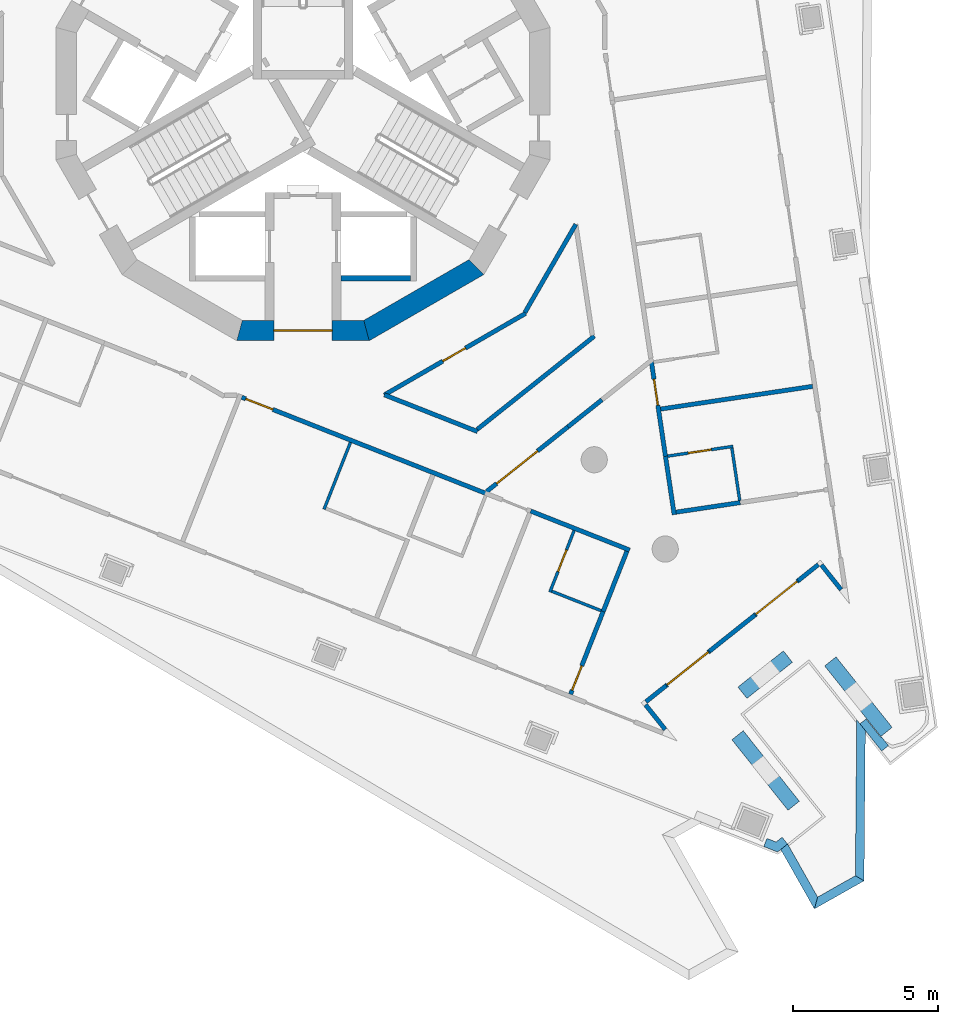
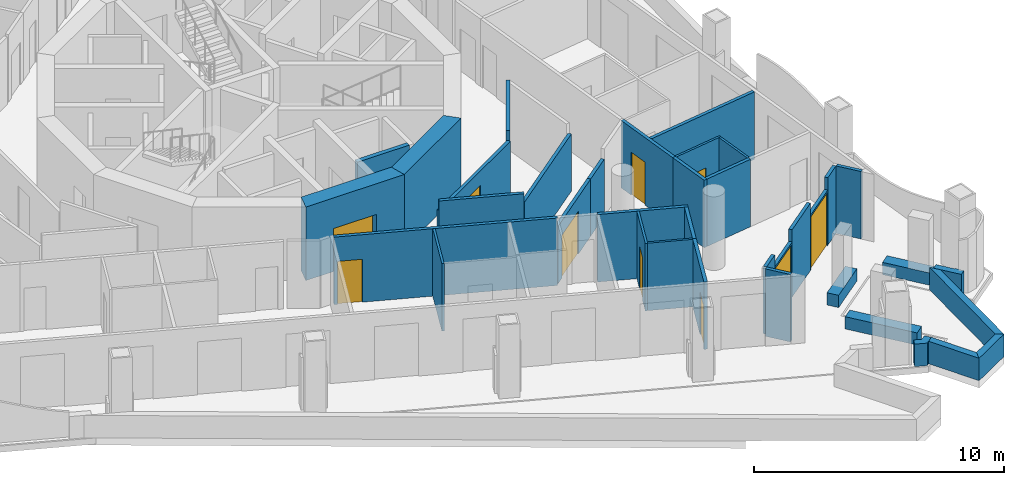
# One storey, part 4 of 16: 37 walls, 10 doors, 10 openings.
"""IFC4 building model written with IfcOpenShell, lengths in metres."""

from ifc_helpers import new_model, si_unit, direction, frame, frame_2d, origin, place, context, subcontext, project, spatial, polyline, rectangle, outline, extrude, material, layer, layer_set, type_object, element, fill, save


model = new_model("IFC4")

# Units and contexts
model_context = context("Model", 3, precision=1e-05, world=origin(), true_north=direction((0.0, 1.0)))
body_context = subcontext(model_context, "Body", "Model", "MODEL_VIEW")
ifc_project = project(units=[si_unit("LENGTHUNIT", "METRE"), si_unit("AREAUNIT", "SQUARE_METRE"), si_unit("VOLUMEUNIT", "CUBIC_METRE"), si_unit("PLANEANGLEUNIT", "RADIAN"), si_unit("MASSUNIT", "GRAM", prefix="KILO")], contexts=[model_context])

# Site, building, storey
site_placement = place(None, origin())
site = spatial("IfcSite", under=ifc_project, at=site_placement, CompositionType="ELEMENT")
building_placement = place(site_placement, origin())
building = spatial("IfcBuilding", under=site, at=building_placement, Name="Trine Commons Tower", CompositionType="ELEMENT")
storey_placement = place(building_placement, frame((0.0, 0.0, 198.0)))
storey = spatial("IfcBuildingStorey", under=building, at=storey_placement, Name="L51", CompositionType="ELEMENT", Elevation=198.0)

# Walls
ifc_material_1 = material(Name="Aluminium-framed insulated wall panel", Category="aluminium")
ifc_layer_1 = layer(ifc_material_1, 0.14990234375)
ifc_layer_set_1 = layer_set([ifc_layer_1], Name="Aluminium-framed insulated wall panel")
wall_type_1 = type_object("IfcWallType", Name="Glazed frame wall 150, EI 60", PredefinedType="SOLIDWALL", material=ifc_layer_set_1)
wall_1_placement = place(storey_placement, frame((98.603759765625, 45.320556640625, 0.0), z_axis=(0.0, 0.0, 1.0), x_axis=(-0.6225008228, 0.782619144676, 0.0)))
element("IfcWall", 1, at=wall_1_placement, inside=storey, type_object=wall_type_1, Name="Glazed frame wall R6", PredefinedType="SOLIDWALL", context=body_context, shape_type="SweptSolid", body=[
    extrude(outline(polyline([(0.1494140625, 0.074951171875), (0.1494140625, -0.074951171875), (1.235107421875, -0.074951171875), (1.235107421875, 0.074951171875), (0.1494140625, 0.074951171875)])), origin(), (0.0, 0.0, 1.0), 3.300048828125),
])
wall_2_placement = place(storey_placement, frame((97.815673828125, 46.367431640625, 0.0), z_axis=(0.0, 0.0, 1.0), x_axis=(-0.78265242488, -0.622458980037, 0.0)))
element("IfcWall", 2, at=wall_2_placement, inside=storey, type_object=wall_type_1, Name="Glazed frame wall P2.1", PredefinedType="SOLIDWALL", context=body_context, shape_type="SweptSolid", body=[
    extrude(outline(polyline([(0.110107421875, -0.074951171875), (1.0, -0.074951171875), (1.0, 0.074951171875), (0.110107421875, 0.074951171875), (0.110107421875, -0.074951171875)])), origin(), (0.0, 0.0, 1.0), 3.300048828125),
])

# Wall, opening, door
wall_3_placement = place(storey_placement, frame((97.033203125, 45.7451171875, 0.0), z_axis=(0.0, 0.0, 1.0), x_axis=(-0.782608167395, -0.622514623384, 0.0)))
wall_3 = element("IfcWall", 3, at=wall_3_placement, inside=storey, type_object=wall_type_1, Name="Glazed frame wall P2.2", PredefinedType="SOLIDWALL", context=body_context, shape_type="SweptSolid", body=[
    extrude(outline(polyline([(0.0, -0.074951171875), (1.89990234375, -0.074951171875), (1.89990234375, 0.074951171875), (0.0, 0.074951171875), (0.0, -0.074951171875)])), origin(), (0.0, 0.0, 1.0), 2.699951171875),
])
opening_1_placement = place(wall_3_placement, frame((0.050048828125, 0.0, 0.0)))
opening_1 = element("IfcOpeningElement", 4, at=opening_1_placement, cuts=wall_3, Name="Opening BD-6P2-01", PredefinedType="OPENING", context=body_context, shape_type="SweptSolid", body=[
    extrude(rectangle(XDim=1.800048828125, YDim=2.60009765625, at=frame_2d((0.89990234375, 1.300048828125))), frame((0.0, 0.0849609375, 0.0), z_axis=(0.0, -1.0, 0.0), x_axis=(1.0, 0.0, 0.0)), (0.0, 0.0, 1.0), 0.169921875),
])
ifc_material_2 = material(Name="Anodised aluminium frame with double glazing", Category="aluminium")
door_type_1 = type_object("IfcDoorType", Name="Sliding loggia door 1800x2600", OperationType="SLIDING_TO_LEFT", PredefinedType="DOOR", material=ifc_material_2)
door_1_placement = place(opening_1_placement, origin())
door_1 = element("IfcDoor", 5, at=door_1_placement, inside=storey, type_object=door_type_1, Name="Loggia door P2 1", OperationType="SLIDING_TO_LEFT", OverallHeight=2.60009765625, OverallWidth=1.800048828125, PredefinedType="DOOR", context=body_context, shape_type="SweptSolid", body=[
    extrude(rectangle(XDim=1.800048828125, YDim=2.60009765625, at=frame_2d((0.89990234375, 1.300048828125))), frame((0.0, 0.02490234375, 0.0), z_axis=(0.0, -1.0, 0.0), x_axis=(1.0, 0.0, 0.0)), (0.0, 0.0, 1.0), 0.050048828125),
])
fill(opening_1, door_1)

# Wall
wall_4_placement = place(storey_placement, frame((95.546142578125, 44.562255859375, 0.0), z_axis=(0.0, 0.0, 1.0), x_axis=(-0.782580779818, -0.622549052733, 0.0)))
element("IfcWall", 6, at=wall_4_placement, inside=storey, type_object=wall_type_1, Name="Glazed frame wall P2.3", PredefinedType="SOLIDWALL", context=body_context, shape_type="SweptSolid", body=[
    extrude(outline(polyline([(0.0, -0.074951171875), (2.0, -0.074951171875), (2.0, 0.074951171875), (0.0, 0.074951171875), (0.0, -0.074951171875)])), origin(), (0.0, 0.0, 1.0), 3.300048828125),
])

# Wall, opening, door
wall_5_placement = place(storey_placement, frame((93.98095703125, 43.317138671875, 0.0), z_axis=(0.0, 0.0, 1.0), x_axis=(-0.782670764896, -0.622435919415, 0.0)))
wall_5 = element("IfcWall", 7, at=wall_5_placement, inside=storey, type_object=wall_type_1, Name="Glazed frame wall P2.4", PredefinedType="SOLIDWALL", context=body_context, shape_type="SweptSolid", body=[
    extrude(outline(polyline([(0.0, -0.074951171875), (1.89990234375, -0.074951171875), (1.89990234375, 0.074951171875), (0.0, 0.074951171875), (0.0, -0.074951171875)])), origin(), (0.0, 0.0, 1.0), 2.699951171875),
])
opening_2_placement = place(wall_5_placement, frame((0.050048828125, 0.0, 0.0)))
opening_2 = element("IfcOpeningElement", 8, at=opening_2_placement, cuts=wall_5, Name="Opening BD-6P2-02", PredefinedType="OPENING", context=body_context, shape_type="SweptSolid", body=[
    extrude(rectangle(XDim=1.800048828125, YDim=2.60009765625, at=frame_2d((0.89990234375, 1.300048828125))), frame((0.0, 0.0849609375, 0.0), z_axis=(0.0, -1.0, 0.0), x_axis=(1.0, 0.0, 0.0)), (0.0, 0.0, 1.0), 0.169921875),
])
door_2_placement = place(opening_2_placement, origin())
door_2 = element("IfcDoor", 9, at=door_2_placement, inside=storey, type_object=door_type_1, Name="Loggia door P2 2", OperationType="SLIDING_TO_LEFT", OverallHeight=2.60009765625, OverallWidth=1.800048828125, PredefinedType="DOOR", context=body_context, shape_type="SweptSolid", body=[
    extrude(rectangle(XDim=1.800048828125, YDim=2.60009765625, at=frame_2d((0.89990234375, 1.300048828125))), frame((0.0, 0.02490234375, 0.0), z_axis=(0.0, -1.0, 0.0), x_axis=(1.0, 0.0, 0.0)), (0.0, 0.0, 1.0), 0.050048828125),
])
fill(opening_2, door_2)

# Walls
wall_6_placement = place(storey_placement, frame((92.493896484375, 42.134521484375, 0.0), z_axis=(0.0, 0.0, 1.0), x_axis=(-0.782628082779, -0.622489585492, 0.0)))
element("IfcWall", 10, at=wall_6_placement, inside=storey, type_object=wall_type_1, Name="Glazed frame wall P2.5", PredefinedType="SOLIDWALL", context=body_context, shape_type="SweptSolid", body=[
    extrude(outline(polyline([(0.889892578125, 0.074951171875), (0.0, 0.074951171875), (0.0, -0.074951171875), (0.889892578125, -0.074951171875), (0.889892578125, 0.074951171875)])), origin(), (0.0, 0.0, 1.0), 3.300048828125),
])
wall_7_placement = place(storey_placement, frame((91.716796875, 41.56103515625, 0.0), z_axis=(0.0, 0.0, 1.0), x_axis=(0.622611995912, -0.7825307039, 0.0)))
element("IfcWall", 11, at=wall_7_placement, inside=storey, type_object=wall_type_1, Name="Glazed frame wall R8", PredefinedType="SOLIDWALL", context=body_context, shape_type="SweptSolid", body=[
    extrude(outline(polyline([(0.110107421875, 0.074951171875), (0.110107421875, -0.074951171875), (1.19580078125, -0.074951171875), (1.19580078125, 0.074951171875), (0.110107421875, 0.074951171875)])), origin(), (0.0, 0.0, 1.0), 3.300048828125),
])
ifc_material_3 = material(Name="Planter trough, precast concrete C40/50", Category="concrete")
ifc_layer_2 = layer(ifc_material_3, 0.5)
ifc_layer_set_2 = layer_set([ifc_layer_2], Name="Planter trough, precast concrete C40/50")
wall_type_2 = type_object("IfcWallType", Name="Planter trough 500x600", PredefinedType="PARAPET", material=ifc_layer_set_2)
wall_8_placement = place(storey_placement, frame((100.0732421875, 40.54150390625, 0.0), z_axis=(0.0, 0.0, 1.0), x_axis=(-0.622502736232, 0.782617622715, 0.0)))
element("IfcWall", 12, at=wall_8_placement, inside=storey, type_object=wall_type_2, Name="Planter 7", PredefinedType="PARAPET", context=body_context, shape_type="SweptSolid", body=[
    extrude(rectangle(XDim=3.099853515625, YDim=0.5, at=frame_2d((1.5498046875, 0.0))), origin(), (0.0, 0.0, 1.0), 0.60009765625),
])
wall_9_placement = place(storey_placement, frame((96.68212890625, 43.134033203125, 0.0), z_axis=(0.0, 0.0, 1.0), x_axis=(-0.782580779818, -0.622549052733, 0.0)))
element("IfcWall", 13, at=wall_9_placement, inside=storey, type_object=wall_type_2, Name="Planter 8", PredefinedType="PARAPET", context=body_context, shape_type="SweptSolid", body=[
    extrude(rectangle(XDim=2.0, YDim=0.5, at=frame_2d((1.0, 0.0))), origin(), (0.0, 0.0, 1.0), 0.60009765625),
])
wall_10_placement = place(storey_placement, frame((94.950439453125, 40.427490234375, 0.0), z_axis=(0.0, 0.0, 1.0), x_axis=(0.622550971161, -0.782579253691, 0.0)))
element("IfcWall", 14, at=wall_10_placement, inside=storey, type_object=wall_type_2, Name="Planter 9", PredefinedType="PARAPET", context=body_context, shape_type="SweptSolid", body=[
    extrude(rectangle(XDim=3.10009765625, YDim=0.5, at=frame_2d((1.550048828125, 0.0))), origin(), (0.0, 0.0, 1.0), 0.60009765625),
])

# Wall, opening, door
ifc_material_4 = material(Name="Concrete C60/75", Category="concrete")
ifc_layer_3 = layer(ifc_material_4, 0.699951171875)
ifc_layer_set_3 = layer_set([ifc_layer_3], Name="Concrete C60/75")
wall_type_3 = type_object("IfcWallType", Name="RC shear wall 700 mm, C60/75", PredefinedType="SHEAR", material=ifc_layer_set_3)
wall_11_placement = place(storey_placement, frame((77.722412109375, 54.349853515625, 0.0), z_axis=(0.0, 0.0, 1.0), x_axis=(1.0, 0.0, 0.0)))
wall_11 = element("IfcWall", 15, at=wall_11_placement, inside=storey, type_object=wall_type_3, Name="Core wall CWF-10 L51", PredefinedType="SHEAR", context=body_context, shape_type="SweptSolid", body=[
    extrude(outline(polyline([(0.0, -0.35009765625), (4.55517578125, -0.35009765625), (4.36767578125, 0.35009765625), (0.1875, 0.35009765625), (0.0, -0.35009765625)])), origin(), (0.0, 0.0, 1.0), 3.60009765625),
])
opening_3_placement = place(wall_11_placement, frame((1.277587890625, 0.0, 0.0)))
opening_3 = element("IfcOpeningElement", 16, at=opening_3_placement, cuts=wall_11, Name="Opening K15.08", PredefinedType="OPENING", context=body_context, shape_type="SweptSolid", body=[
    extrude(rectangle(XDim=2.0, YDim=2.10009765625, at=frame_2d((1.0, 1.050048828125))), frame((0.0, 0.35986328125, 0.0), z_axis=(0.0, -1.0, 0.0), x_axis=(1.0, 0.0, 0.0)), (0.0, 0.0, 1.0), 0.719970703125),
])
ifc_material_5 = material(Name="Steel door leaves, fire-rated", Category="steel")
door_type_2 = type_object("IfcDoorType", Name="Lobby door, double leaf 2000 x 2100, FD60", OperationType="DOUBLE_DOOR_SINGLE_SWING", PredefinedType="DOOR", material=ifc_material_5)
door_3_placement = place(opening_3_placement, origin())
door_3 = element("IfcDoor", 17, at=door_3_placement, inside=storey, type_object=door_type_2, Name="Lobby door, Service and firefighting lobby L51", OperationType="DOUBLE_DOOR_SINGLE_SWING", OverallHeight=2.10009765625, OverallWidth=2.0, PredefinedType="DOOR", context=body_context, shape_type="SweptSolid", body=[
    extrude(rectangle(XDim=2.0, YDim=2.10009765625, at=frame_2d((1.0, 1.050048828125))), frame((0.0, 0.02490234375, 0.0), z_axis=(0.0, -1.0, 0.0), x_axis=(1.0, 0.0, 0.0)), (0.0, 0.0, 1.0), 0.050048828125),
])
fill(opening_3, door_3)

# Walls
wall_12_placement = place(storey_placement, frame((82.1025390625, 54.302978515625, 0.0), z_axis=(0.0, 0.0, 1.0), x_axis=(0.866034756103, 0.499983800959, 0.0)))
element("IfcWall", 18, at=wall_12_placement, inside=storey, type_object=wall_type_3, Name="Core wall CWF-11 L51", PredefinedType="SHEAR", context=body_context, shape_type="SweptSolid", body=[
    extrude(outline(polyline([(0.0, -0.35009765625), (4.55517578125, -0.35009765625), (4.36767578125, 0.35009765625), (0.1875, 0.35009765625), (0.0, -0.35009765625)])), origin(), (0.0, 0.0, 1.0), 3.60009765625),
])
ifc_material_6 = material(Name="Fire-rated gypsum shaft wall system")
ifc_layer_4 = layer(ifc_material_6, 0.199951171875)
ifc_layer_set_4 = layer_set([ifc_layer_4], Name="Fire-rated gypsum shaft wall system")
wall_type_4 = type_object("IfcWallType", Name="Shaft wall 200 mm, EI 120", PredefinedType="PARTITIONING", material=ifc_layer_set_4)
wall_13_placement = place(storey_placement, frame((81.300048828125, 56.14990234375, 0.0), z_axis=(0.0, 0.0, 1.0), x_axis=(1.0, 0.0, 0.0)))
element("IfcWall", 19, at=wall_13_placement, inside=storey, type_object=wall_type_4, Name="Shaft wall L51", PredefinedType="PARTITIONING", context=body_context, shape_type="SweptSolid", body=[
    extrude(rectangle(XDim=2.39990234375, YDim=0.199951171875, at=frame_2d((1.199951171875, 0.0))), origin(), (0.0, 0.0, 1.0), 3.300048828125),
])
ifc_material_7 = material(Name="Limestone, honed", Category="masonry")
ifc_layer_5 = layer(ifc_material_7, 0.300048828125)
ifc_layer_set_5 = layer_set([ifc_layer_5], Name="Limestone, honed")
wall_type_5 = type_object("IfcWallType", Name="Stone parapet 300", PredefinedType="PARAPET", material=ifc_layer_set_5)
wall_14_placement = place(storey_placement, origin())
element("IfcWall", 20, at=wall_14_placement, inside=storey, type_object=wall_type_5, Name="Sliver roof parapet L50 5.1", PredefinedType="PARAPET", context=body_context, shape_type="SweptSolid", body=[
    extrude(outline(polyline([(99.302001953125, 35.418701171875), (99.346923828125, 40.5869140625), (99.05029296875, 40.960205078125), (99.00341796875, 35.594482421875), (99.302001953125, 35.418701171875)])), origin(), (0.0, 0.0, 1.0), 1.10009765625),
])
wall_15_placement = place(storey_placement, origin())
element("IfcWall", 21, at=wall_15_placement, inside=storey, type_object=wall_type_5, Name="Sliver roof parapet L50 5.2", PredefinedType="PARAPET", context=body_context, shape_type="SweptSolid", body=[
    extrude(outline(polyline([(96.43505859375, 36.497314453125), (97.592529296875, 34.45166015625), (97.705810546875, 34.8603515625), (96.672607421875, 36.6865234375), (96.43505859375, 36.497314453125)])), origin(), (0.0, 0.0, 1.0), 1.10009765625),
])
wall_16_placement = place(storey_placement, origin())
element("IfcWall", 22, at=wall_16_placement, inside=storey, type_object=wall_type_5, Name="Sliver roof parapet L50 5.3", PredefinedType="PARAPET", context=body_context, shape_type="SweptSolid", body=[
    extrude(outline(polyline([(97.592529296875, 34.45166015625), (99.302001953125, 35.418701171875), (99.00341796875, 35.594482421875), (97.705810546875, 34.8603515625), (97.592529296875, 34.45166015625)])), origin(), (0.0, 0.0, 1.0), 1.10009765625),
])
wall_17_placement = place(storey_placement, origin())
element("IfcWall", 23, at=wall_17_placement, inside=storey, type_object=wall_type_5, Name="Sliver roof parapet extension L50 5.X1", PredefinedType="PARAPET", context=body_context, shape_type="SweptSolid", body=[
    extrude(outline(polyline([(99.89794921875, 40.37646484375), (99.87451171875, 40.357666015625), (99.37158203125, 40.989990234375), (99.160400390625, 40.82177734375), (99.76318359375, 40.06396484375), (99.9072265625, 39.8828125), (100.14208984375, 40.0693359375), (99.89794921875, 40.37646484375)])), origin(), (0.0, 0.0, 1.0), 1.10009765625),
])
wall_18_placement = place(storey_placement, origin())
element("IfcWall", 24, at=wall_18_placement, inside=storey, type_object=wall_type_5, Name="Sliver roof parapet extension L50 5.X2", PredefinedType="PARAPET", context=body_context, shape_type="SweptSolid", body=[
    extrude(outline(polyline([(96.483154296875, 36.9189453125), (96.27490234375, 36.75341796875), (95.960693359375, 36.876953125), (95.850830078125, 36.597900390625), (96.03173828125, 36.526611328125), (96.292724609375, 36.423828125), (96.335205078125, 36.41796875), (96.512939453125, 36.559326171875), (96.669921875, 36.68408203125), (96.483154296875, 36.9189453125)])), origin(), (0.0, 0.0, 1.0), 1.10009765625),
])

# Wall, opening, door
ifc_material_8 = material(Name="Gypsum plasterboard on steel stud", Category="steel")
ifc_layer_6 = layer(ifc_material_8, 0.14990234375)
ifc_layer_set_6 = layer_set([ifc_layer_6], Name="Gypsum plasterboard on steel stud")
wall_type_6 = type_object("IfcWallType", Name="Unit and corridor wall 150 mm, EI 60", PredefinedType="PARTITIONING", material=ifc_layer_set_6)
wall_19_placement = place(storey_placement, frame((77.890869140625, 52.056396484375, 0.0), z_axis=(0.0, 0.0, 1.0), x_axis=(0.930403660154, -0.366536531837, 0.0)))
wall_19 = element("IfcWall", 25, at=wall_19_placement, inside=storey, type_object=wall_type_6, Name="Partition 054", PredefinedType="PARTITIONING", context=body_context, shape_type="SweptSolid", body=[
    extrude(rectangle(XDim=9.0625, YDim=0.14990234375, at=frame_2d((4.53125, 0.0))), origin(), (0.0, 0.0, 1.0), 3.300048828125),
])
opening_4_placement = place(wall_19_placement, frame((0.14990234375, 0.0, 0.0)))
opening_4 = element("IfcOpeningElement", 26, at=opening_4_placement, cuts=wall_19, Name="Opening D-6A22", PredefinedType="OPENING", context=body_context, shape_type="SweptSolid", body=[
    extrude(rectangle(XDim=1.0, YDim=2.10009765625, at=frame_2d((0.5, 1.050048828125))), frame((0.0, 0.0849609375, 0.0), z_axis=(0.0, -1.0, 0.0), x_axis=(1.0, 0.0, 0.0)), (0.0, 0.0, 1.0), 0.169921875),
])
ifc_material_9 = material(Name="Timber fire door set", Category="wood")
door_type_3 = type_object("IfcDoorType", Name="Bedroom door 1000 x 2100, FD30S", OperationType="NOTDEFINED", PredefinedType="DOOR", material=ifc_material_9)
door_4_placement = place(opening_4_placement, frame((1.0, 0.0, 0.0), z_axis=(0.0, 0.0, 1.0), x_axis=(-1.0, 0.0, 0.0)))
door_4 = element("IfcDoor", 27, at=door_4_placement, inside=storey, type_object=door_type_3, Name="Door D-6A22", OperationType="SINGLE_SWING_RIGHT", OverallHeight=2.10009765625, OverallWidth=1.0, PredefinedType="DOOR", context=body_context, shape_type="SweptSolid", body=[
    extrude(rectangle(XDim=1.0, YDim=2.10009765625, at=frame_2d((0.5, 1.050048828125))), frame((0.0, 0.02490234375, 0.0), z_axis=(0.0, -1.0, 0.0), x_axis=(1.0, 0.0, 0.0)), (0.0, 0.0, 1.0), 0.050048828125),
])
fill(opening_4, door_4)

wall_20_placement = place(storey_placement, frame((82.798095703125, 52.135009765625, 0.0), z_axis=(0.0, 0.0, 1.0), x_axis=(0.865994393525, 0.500053707499, 0.0)))
wall_20 = element("IfcWall", 28, at=wall_20_placement, inside=storey, type_object=wall_type_6, Name="Partition 067", PredefinedType="PARTITIONING", context=body_context, shape_type="SweptSolid", body=[
    extrude(rectangle(XDim=5.6142578125, YDim=0.14990234375, at=frame_2d((2.80712890625, 0.0))), origin(), (0.0, 0.0, 1.0), 2.800048828125),
])
opening_5_placement = place(wall_20_placement, frame((2.321533203125, 0.0, 0.0)))
opening_5 = element("IfcOpeningElement", 29, at=opening_5_placement, cuts=wall_20, Name="Opening D-6A26", PredefinedType="OPENING", context=body_context, shape_type="SweptSolid", body=[
    extrude(rectangle(XDim=0.89990234375, YDim=2.10009765625, at=frame_2d((0.449951171875, 1.050048828125))), frame((0.0, 0.0849609375, 0.0), z_axis=(0.0, -1.0, 0.0), x_axis=(1.0, 0.0, 0.0)), (0.0, 0.0, 1.0), 0.169921875),
])
door_type_4 = type_object("IfcDoorType", Name="Service door 900 x 2100, FD30S", OperationType="NOTDEFINED", PredefinedType="DOOR", material=ifc_material_9)
door_5_placement = place(opening_5_placement, frame((0.89990234375, 0.0, 0.0), z_axis=(0.0, 0.0, 1.0), x_axis=(-1.0, 0.0, 0.0)))
door_5 = element("IfcDoor", 30, at=door_5_placement, inside=storey, type_object=door_type_4, Name="Door D-6A26", OperationType="SINGLE_SWING_RIGHT", OverallHeight=2.10009765625, OverallWidth=0.89990234375, PredefinedType="DOOR", context=body_context, shape_type="SweptSolid", body=[
    extrude(rectangle(XDim=0.89990234375, YDim=2.10009765625, at=frame_2d((0.449951171875, 1.050048828125))), frame((0.0, 0.02490234375, 0.0), z_axis=(0.0, -1.0, 0.0), x_axis=(1.0, 0.0, 0.0)), (0.0, 0.0, 1.0), 0.050048828125),
])
fill(opening_5, door_5)

# Walls
wall_21_placement = place(storey_placement, frame((82.801025390625, 52.136962890625, 0.0), z_axis=(0.0, 0.0, 1.0), x_axis=(0.930387129981, -0.366578488685, 0.0)))
element("IfcWall", 31, at=wall_21_placement, inside=storey, type_object=wall_type_6, Name="Partition 068", PredefinedType="PARTITIONING", context=body_context, shape_type="SweptSolid", body=[
    extrude(rectangle(XDim=3.441162109375, YDim=0.14990234375, at=frame_2d((1.720703125, 0.0))), origin(), (0.0, 0.0, 1.0), 3.300048828125),
])
wall_22_placement = place(storey_placement, frame((85.99169921875, 50.94970703125, 0.0), z_axis=(0.0, 0.0, 1.0), x_axis=(0.782530221945, 0.622612601657, 0.0)))
element("IfcWall", 32, at=wall_22_placement, inside=storey, type_object=wall_type_6, Name="Partition 081", PredefinedType="PARTITIONING", context=body_context, shape_type="SweptSolid", body=[
    extrude(rectangle(XDim=5.152587890625, YDim=0.14990234375, at=frame_2d((2.576171875, 0.0))), origin(), (0.0, 0.0, 1.0), 2.800048828125),
])

# Wall, opening, door
wall_23_placement = place(storey_placement, frame((86.311767578125, 48.80859375, 0.0), z_axis=(0.0, 0.0, 1.0), x_axis=(0.782487894098, 0.622665797672, 0.0)))
wall_23 = element("IfcWall", 33, at=wall_23_placement, inside=storey, type_object=wall_type_6, Name="Partition 082", PredefinedType="PARTITIONING", context=body_context, shape_type="SweptSolid", body=[
    extrude(rectangle(XDim=3.583740234375, YDim=0.14990234375, at=frame_2d((1.7919921875, 0.0))), origin(), (0.0, 0.0, 1.0), 2.800048828125),
])
opening_6_placement = place(wall_23_placement, frame((0.44677734375, 0.0, 0.0)))
opening_6 = element("IfcOpeningElement", 34, at=opening_6_placement, cuts=wall_23, Name="Opening D-6A02", PredefinedType="OPENING", context=body_context, shape_type="SweptSolid", body=[
    extrude(rectangle(XDim=1.800048828125, YDim=2.10009765625, at=frame_2d((0.89990234375, 1.050048828125))), frame((0.0, 0.0849609375, 0.0), z_axis=(0.0, -1.0, 0.0), x_axis=(1.0, 0.0, 0.0)), (0.0, 0.0, 1.0), 0.169921875),
])
door_type_5 = type_object("IfcDoorType", Name="Cluster entrance door 1800 x 2100, double leaf, FD30S", OperationType="DOUBLE_DOOR_DOUBLE_SWING", PredefinedType="DOOR", material=ifc_material_9)
door_6_placement = place(opening_6_placement, frame((1.800048828125, 0.0, 0.0), z_axis=(0.0, 0.0, 1.0), x_axis=(-1.0, 0.0, 0.0)))
door_6 = element("IfcDoor", 35, at=door_6_placement, inside=storey, type_object=door_type_5, Name="Door D-6A02", OperationType="DOUBLE_DOOR_DOUBLE_SWING", OverallHeight=2.10009765625, OverallWidth=1.800048828125, PredefinedType="DOOR", context=body_context, shape_type="SweptSolid", body=[
    extrude(rectangle(XDim=1.800048828125, YDim=2.10009765625, at=frame_2d((0.89990234375, 1.050048828125))), frame((0.0, 0.02490234375, 0.0), z_axis=(0.0, -1.0, 0.0), x_axis=(1.0, 0.0, 0.0)), (0.0, 0.0, 1.0), 0.050048828125),
])
fill(opening_6, door_6)

# Walls
wall_24_placement = place(storey_placement, frame((87.632568359375, 54.969970703125, 0.0), z_axis=(0.0, 0.0, 1.0), x_axis=(0.50005009493, 0.865996479531, 0.0)))
element("IfcWall", 36, at=wall_24_placement, inside=storey, type_object=wall_type_6, Name="Partition 086", PredefinedType="PARTITIONING", context=body_context, shape_type="SweptSolid", body=[
    extrude(rectangle(XDim=3.504638671875, YDim=0.14990234375, at=frame_2d((1.75244140625, 0.0))), origin(), (0.0, 0.0, 1.0), 3.300048828125),
])
wall_25_placement = place(storey_placement, frame((87.8330078125, 48.139892578125, 0.0), z_axis=(0.0, 0.0, 1.0), x_axis=(0.930350489768, -0.366671469014, 0.0)))
element("IfcWall", 37, at=wall_25_placement, inside=storey, type_object=wall_type_6, Name="Partition 087", PredefinedType="PARTITIONING", context=body_context, shape_type="SweptSolid", body=[
    extrude(rectangle(XDim=3.66064453125, YDim=0.14990234375, at=frame_2d((1.830322265625, 0.0))), origin(), (0.0, 0.0, 1.0), 3.300048828125),
])
wall_26_placement = place(storey_placement, frame((89.115966796875, 51.0400390625, 0.0), z_axis=(0.0, 0.0, 1.0), x_axis=(0.7828906441, 0.622159336007, 0.0)))
element("IfcWall", 38, at=wall_26_placement, inside=storey, type_object=wall_type_6, Name="Partition 099", PredefinedType="PARTITIONING", context=body_context, shape_type="SweptSolid", body=[
    extrude(rectangle(XDim=1.4931640625, YDim=0.14990234375, at=frame_2d((0.74658203125, 0.0))), origin(), (0.0, 0.0, 1.0), 2.800048828125),
])

# Wall, opening, door
wall_27_placement = place(storey_placement, frame((89.20458984375, 41.838134765625, 0.0), z_axis=(0.0, 0.0, 1.0), x_axis=(0.366573872911, 0.930388948612, 0.0)))
wall_27 = element("IfcWall", 39, at=wall_27_placement, inside=storey, type_object=wall_type_6, Name="Partition 100", PredefinedType="PARTITIONING", context=body_context, shape_type="SweptSolid", body=[
    extrude(rectangle(XDim=3.1142578125, YDim=0.14990234375, at=frame_2d((1.55712890625, 0.0))), origin(), (0.0, 0.0, 1.0), 3.300048828125),
])
opening_7_placement = place(wall_27_placement, frame((0.14990234375, 0.0, 0.0)))
opening_7 = element("IfcOpeningElement", 40, at=opening_7_placement, cuts=wall_27, Name="Opening D-6A20", PredefinedType="OPENING", context=body_context, shape_type="SweptSolid", body=[
    extrude(rectangle(XDim=0.89990234375, YDim=2.10009765625, at=frame_2d((0.449951171875, 1.050048828125))), frame((0.0, 0.0849609375, 0.0), z_axis=(0.0, -1.0, 0.0), x_axis=(1.0, 0.0, 0.0)), (0.0, 0.0, 1.0), 0.169921875),
])
door_type_6 = type_object("IfcDoorType", Name="Bedroom door 900 x 2100, FD30S", OperationType="NOTDEFINED", PredefinedType="DOOR", material=ifc_material_9)
door_7_placement = place(opening_7_placement, origin())
door_7 = element("IfcDoor", 41, at=door_7_placement, inside=storey, type_object=door_type_6, Name="Door D-6A20", OperationType="SINGLE_SWING_LEFT", OverallHeight=2.10009765625, OverallWidth=0.89990234375, PredefinedType="DOOR", context=body_context, shape_type="SweptSolid", body=[
    extrude(rectangle(XDim=0.89990234375, YDim=2.10009765625, at=frame_2d((0.449951171875, 1.050048828125))), frame((0.0, 0.02490234375, 0.0), z_axis=(0.0, -1.0, 0.0), x_axis=(1.0, 0.0, 0.0)), (0.0, 0.0, 1.0), 0.050048828125),
])
fill(opening_7, door_7)

# Wall
wall_28_placement = place(storey_placement, frame((90.324951171875, 44.681884765625, 0.0), z_axis=(0.0, 0.0, 1.0), x_axis=(0.366492903007, 0.930420846738, 0.0)))
element("IfcWall", 42, at=wall_28_placement, inside=storey, type_object=wall_type_6, Name="Partition 108", PredefinedType="PARTITIONING", context=body_context, shape_type="SweptSolid", body=[
    extrude(rectangle(XDim=2.228271484375, YDim=0.14990234375, at=frame_2d((1.1142578125, 0.0))), origin(), (0.0, 0.0, 1.0), 3.300048828125),
])

# Wall, opening, door
wall_29_placement = place(storey_placement, frame((91.980712890625, 53.3095703125, 0.0), z_axis=(0.0, 0.0, 1.0), x_axis=(0.147462331027, -0.989067672572, 0.0)))
wall_29 = element("IfcWall", 43, at=wall_29_placement, inside=storey, type_object=wall_type_6, Name="Partition 116", PredefinedType="PARTITIONING", context=body_context, shape_type="SweptSolid", body=[
    extrude(rectangle(XDim=3.3310546875, YDim=0.14990234375, at=frame_2d((1.66552734375, 0.0))), origin(), (0.0, 0.0, 1.0), 3.300048828125),
])
opening_8_placement = place(wall_29_placement, frame((0.639892578125, 0.0, 0.0)))
opening_8 = element("IfcOpeningElement", 44, at=opening_8_placement, cuts=wall_29, Name="Opening D-6A18", PredefinedType="OPENING", context=body_context, shape_type="SweptSolid", body=[
    extrude(rectangle(XDim=0.89990234375, YDim=2.10009765625, at=frame_2d((0.449951171875, 1.050048828125))), frame((0.0, 0.0849609375, 0.0), z_axis=(0.0, -1.0, 0.0), x_axis=(1.0, 0.0, 0.0)), (0.0, 0.0, 1.0), 0.169921875),
])
door_8_placement = place(opening_8_placement, origin())
door_8 = element("IfcDoor", 45, at=door_8_placement, inside=storey, type_object=door_type_6, Name="Door D-6A18", OperationType="SINGLE_SWING_LEFT", OverallHeight=2.10009765625, OverallWidth=0.89990234375, PredefinedType="DOOR", context=body_context, shape_type="SweptSolid", body=[
    extrude(rectangle(XDim=0.89990234375, YDim=2.10009765625, at=frame_2d((0.449951171875, 1.050048828125))), frame((0.0, 0.02490234375, 0.0), z_axis=(0.0, -1.0, 0.0), x_axis=(1.0, 0.0, 0.0)), (0.0, 0.0, 1.0), 0.050048828125),
])
fill(opening_8, door_8)

# Walls
wall_30_placement = place(storey_placement, frame((92.30419921875, 51.649169921875, 0.0), z_axis=(0.0, 0.0, 1.0), x_axis=(0.98902190879, 0.147768954566, 0.0)))
element("IfcWall", 46, at=wall_30_placement, inside=storey, type_object=wall_type_6, Name="Partition 118", PredefinedType="PARTITIONING", context=body_context, shape_type="SweptSolid", body=[
    extrude(rectangle(XDim=5.285400390625, YDim=0.14990234375, at=frame_2d((2.642578125, 0.0))), origin(), (0.0, 0.0, 1.0), 3.300048828125),
])
wall_31_placement = place(storey_placement, frame((92.470947265625, 50.02294921875, 0.0), z_axis=(0.0, 0.0, 1.0), x_axis=(0.147922563544, -0.988998946003, 0.0)))
element("IfcWall", 47, at=wall_31_placement, inside=storey, type_object=wall_type_6, Name="Partition 119", PredefinedType="PARTITIONING", context=body_context, shape_type="SweptSolid", body=[
    extrude(rectangle(XDim=2.0283203125, YDim=0.14990234375, at=frame_2d((1.01416015625, 0.0))), origin(), (0.0, 0.0, 1.0), 3.300048828125),
])
wall_32_placement = place(storey_placement, frame((92.834228515625, 48.10205078125, 0.0), z_axis=(0.0, 0.0, 1.0), x_axis=(0.989058920162, 0.147521023747, 0.0)))
element("IfcWall", 48, at=wall_32_placement, inside=storey, type_object=wall_type_6, Name="Partition 121", PredefinedType="PARTITIONING", context=body_context, shape_type="SweptSolid", body=[
    extrude(rectangle(XDim=2.229248046875, YDim=0.14990234375, at=frame_2d((1.11474609375, 0.0))), origin(), (0.0, 0.0, 1.0), 3.300048828125),
])
ifc_layer_7 = layer(ifc_material_8, 0.10009765625)
ifc_layer_set_7 = layer_set([ifc_layer_7], Name="Gypsum plasterboard on steel stud")
wall_type_7 = type_object("IfcWallType", Name="Unit partition 100 mm, no rating", PredefinedType="PARTITIONING", material=ifc_layer_set_7)
wall_33_placement = place(storey_placement, frame((80.7236328125, 48.199462890625, 0.0), z_axis=(0.0, 0.0, 1.0), x_axis=(0.366811693538, 0.930295212007, 0.0)))
element("IfcWall", 49, at=wall_33_placement, inside=storey, type_object=wall_type_7, Name="Partition 059", PredefinedType="PARTITIONING", context=body_context, shape_type="SweptSolid", body=[
    extrude(rectangle(XDim=2.475341796875, YDim=0.10009765625, at=frame_2d((1.23779296875, 0.0))), origin(), (0.0, 0.0, 1.0), 3.300048828125),
])

# Wall, opening, door
wall_34_placement = place(storey_placement, frame((88.49365234375, 45.353515625, 0.0), z_axis=(0.0, 0.0, 1.0), x_axis=(0.366482291334, 0.930425026608, 0.0)))
wall_34 = element("IfcWall", 50, at=wall_34_placement, inside=storey, type_object=wall_type_7, Name="Partition 092", PredefinedType="PARTITIONING", context=body_context, shape_type="SweptSolid", body=[
    extrude(rectangle(XDim=2.27490234375, YDim=0.10009765625, at=frame_2d((1.137451171875, 0.0))), origin(), (0.0, 0.0, 1.0), 3.300048828125),
])
opening_9_placement = place(wall_34_placement, frame((0.762451171875, 0.0, 0.0)))
opening_9 = element("IfcOpeningElement", 51, at=opening_9_placement, cuts=wall_34, Name="Opening D-6A40", PredefinedType="OPENING", context=body_context, shape_type="SweptSolid", body=[
    extrude(rectangle(XDim=0.800048828125, YDim=2.10009765625, at=frame_2d((0.39990234375, 1.050048828125))), frame((0.0, 0.06005859375, 0.0), z_axis=(0.0, -1.0, 0.0), x_axis=(1.0, 0.0, 0.0)), (0.0, 0.0, 1.0), 0.1201171875),
])
ifc_material_10 = material(Name="Painted timber", Category="wood")
door_type_7 = type_object("IfcDoorType", Name="Internal door 800 x 2100, NOT RATED", OperationType="NOTDEFINED", PredefinedType="DOOR", material=ifc_material_10)
door_9_placement = place(opening_9_placement, origin())
door_9 = element("IfcDoor", 52, at=door_9_placement, inside=storey, type_object=door_type_7, Name="Door D-6A40", OperationType="SINGLE_SWING_RIGHT", OverallHeight=2.10009765625, OverallWidth=0.800048828125, PredefinedType="DOOR", context=body_context, shape_type="SweptSolid", body=[
    extrude(rectangle(XDim=0.800048828125, YDim=2.10009765625, at=frame_2d((0.39990234375, 1.050048828125))), frame((0.0, 0.02490234375, 0.0), z_axis=(0.0, -1.0, 0.0), x_axis=(1.0, 0.0, 0.0)), (0.0, 0.0, 1.0), 0.050048828125),
])
fill(opening_9, door_9)

# Wall
wall_35_placement = place(storey_placement, frame((88.55859375, 45.381591796875, 0.0), z_axis=(0.0, 0.0, 1.0), x_axis=(0.93039180792, -0.366566615712, 0.0)))
element("IfcWall", 53, at=wall_35_placement, inside=storey, type_object=wall_type_7, Name="Partition 093", PredefinedType="PARTITIONING", context=body_context, shape_type="SweptSolid", body=[
    extrude(rectangle(XDim=1.825439453125, YDim=0.10009765625, at=frame_2d((0.91259765625, 0.0))), origin(), (0.0, 0.0, 1.0), 3.300048828125),
])

# Wall, opening, door
wall_36_placement = place(storey_placement, frame((92.546142578125, 50.030029296875, 0.0), z_axis=(0.0, 0.0, 1.0), x_axis=(0.989007860101, 0.147862952286, 0.0)))
wall_36 = element("IfcWall", 54, at=wall_36_placement, inside=storey, type_object=wall_type_7, Name="Partition 120", PredefinedType="PARTITIONING", context=body_context, shape_type="SweptSolid", body=[
    extrude(rectangle(XDim=2.275146484375, YDim=0.10009765625, at=frame_2d((1.1376953125, 0.0))), origin(), (0.0, 0.0, 1.0), 3.300048828125),
])
opening_10_placement = place(wall_36_placement, frame((0.712646484375, 0.0, 0.0)))
opening_10 = element("IfcOpeningElement", 55, at=opening_10_placement, cuts=wall_36, Name="Opening D-6A39", PredefinedType="OPENING", context=body_context, shape_type="SweptSolid", body=[
    extrude(rectangle(XDim=0.800048828125, YDim=2.10009765625, at=frame_2d((0.39990234375, 1.050048828125))), frame((0.0, 0.06005859375, 0.0), z_axis=(0.0, -1.0, 0.0), x_axis=(1.0, 0.0, 0.0)), (0.0, 0.0, 1.0), 0.1201171875),
])
door_10_placement = place(opening_10_placement, origin())
door_10 = element("IfcDoor", 56, at=door_10_placement, inside=storey, type_object=door_type_7, Name="Door D-6A39", OperationType="SINGLE_SWING_LEFT", OverallHeight=2.10009765625, OverallWidth=0.800048828125, PredefinedType="DOOR", context=body_context, shape_type="SweptSolid", body=[
    extrude(rectangle(XDim=0.800048828125, YDim=2.10009765625, at=frame_2d((0.39990234375, 1.050048828125))), frame((0.0, 0.02490234375, 0.0), z_axis=(0.0, -1.0, 0.0), x_axis=(1.0, 0.0, 0.0)), (0.0, 0.0, 1.0), 0.050048828125),
])
fill(opening_10, door_10)

# Wall
wall_37_placement = place(storey_placement, frame((94.75439453125, 50.3095703125, 0.0), z_axis=(0.0, 0.0, 1.0), x_axis=(0.14773187693, -0.989027447819, 0.0)))
element("IfcWall", 57, at=wall_37_placement, inside=storey, type_object=wall_type_7, Name="Partition 123", PredefinedType="PARTITIONING", context=body_context, shape_type="SweptSolid", body=[
    extrude(rectangle(XDim=1.824462890625, YDim=0.10009765625, at=frame_2d((0.912109375, 0.0))), origin(), (0.0, 0.0, 1.0), 3.300048828125),
])

save(model, "model.ifc")
